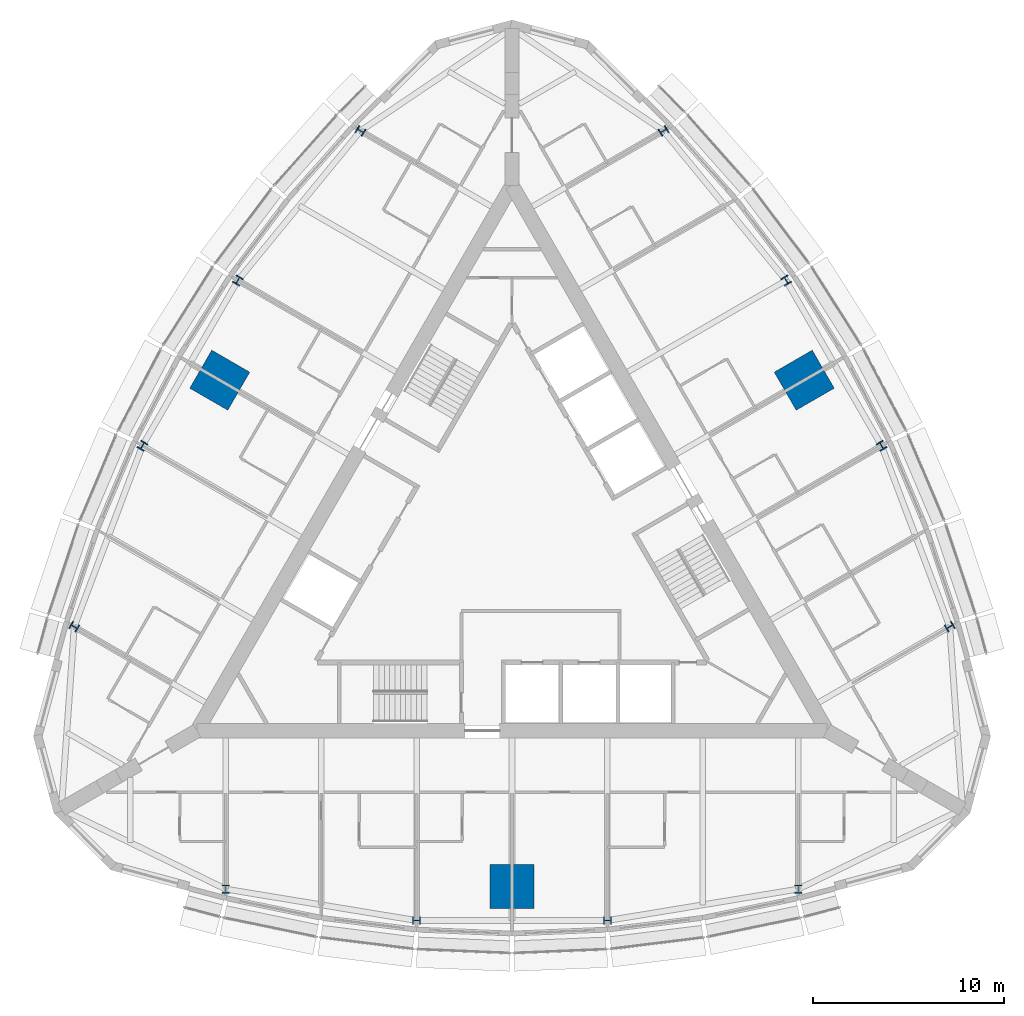
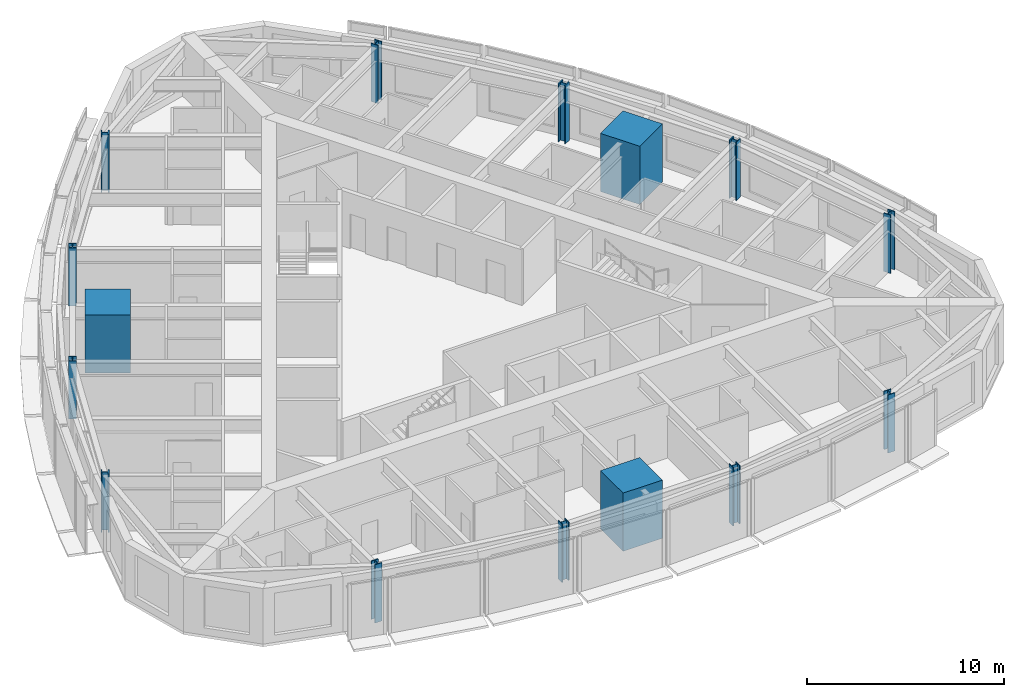
# One storey, part 1 of 15: 15 columns.
"""IFC4 building model written with IfcOpenShell, lengths in metres."""

from ifc_helpers import new_model, si_unit, direction, frame, origin, origin_2d, place, context, subcontext, project, spatial, rectangle, i_section, extrude, material, material_profile, profile_set, type_object, element, save


model = new_model("IFC4")

# Units and contexts
model_context = context("Model", 3, precision=1e-05, world=origin(), true_north=direction((0.0, 1.0)))
body_context = subcontext(model_context, "Body", "Model", "MODEL_VIEW")
ifc_project = project(units=[si_unit("LENGTHUNIT", "METRE"), si_unit("AREAUNIT", "SQUARE_METRE"), si_unit("VOLUMEUNIT", "CUBIC_METRE"), si_unit("PLANEANGLEUNIT", "RADIAN"), si_unit("MASSUNIT", "GRAM", prefix="KILO")], contexts=[model_context])

# Site, building, storey
site_placement = place(None, origin())
site = spatial("IfcSite", under=ifc_project, at=site_placement, CompositionType="ELEMENT")
building_placement = place(site_placement, origin())
building = spatial("IfcBuilding", under=site, at=building_placement, Name="Trikona Tower", CompositionType="ELEMENT")
storey_placement = place(building_placement, frame((0.0, 0.0, 208.10009765625)))
storey = spatial("IfcBuildingStorey", under=building, at=storey_placement, Name="L55", CompositionType="ELEMENT", Elevation=208.10009765625)

# Columns
ifc_material_1 = material(Name="Concrete f'c 10000 psi with encased steel section", Category="concrete")
ifc_material_profile_1 = material_profile(ifc_material_1, rectangle(XDim=2.300048828125, YDim=2.300048828125, at=origin_2d()), Name="MC2300")
ifc_profile_set_1 = profile_set([ifc_material_profile_1], Name="Concrete f'c 10000 psi with encased steel section")
column_type_1 = type_object("IfcColumnType", Name="Composite mega column 2300x2300", PredefinedType="COLUMN", material=ifc_profile_set_1)
for number, where, z_axis, x_axis, name in (
    (1, (0.0, -17.680419921875, 0.0), (0.0, 0.0, 1.0), (0.0, -1.0, 0.0), "Mega column MC1"),
    (2, (15.311767578125, 8.84033203125, 0.0), (0.0, 0.0, 1.0), (0.866025403784, 0.5, 0.0), "Mega column MC2"),
    (3, (-15.311767578125, 8.84033203125, 0.0), (0.0, 0.0, 1.0), (-0.866025403784, 0.5, 0.0), "Mega column MC3"),
):
    element("IfcColumn", number, at=place(storey_placement, frame(where, z_axis=z_axis, x_axis=x_axis)), inside=storey, type_object=column_type_1, Name=name, PredefinedType="COLUMN", context=body_context, shape_type="SweptSolid", body=[
        extrude(rectangle(XDim=2.300048828125, YDim=2.300048828125, at=origin_2d()), origin(), (0.0, 0.0, 1.0), 3.599853515625),
    ])
ifc_material_2 = material(Name="Steel ASTM A992 Grade 50", Category="steel")
ifc_material_profile_2 = material_profile(ifc_material_2, i_section(OverallWidth=0.411376953125, OverallDepth=0.434326171875, WebThickness=0.035888671875, FlangeThickness=0.057373046875, at=origin_2d()), Name="W14X311")
ifc_profile_set_2 = profile_set([ifc_material_profile_2], Name="Steel ASTM A992 Grade 50")
column_type_2 = type_object("IfcColumnType", Name="Steel column W14x311", PredefinedType="COLUMN", material=ifc_profile_set_2)
for number, where, z_axis, x_axis, name in (
    (4, (-15.0, -17.824951171875, 0.0), (0.0, 0.0, 1.0), (1.0, 0.0, 0.0), "Column F0m15"),
    (5, (-5.0, -19.471923828125, 0.0), (0.0, 0.0, 1.0), (0.0, -1.0, 0.0), "Column F0m5"),
    (6, (5.0, -19.471923828125, 0.0), (0.0, 0.0, 1.0), (0.0, -1.0, 0.0), "Column F0p5"),
    (7, (15.0, -17.824951171875, 0.0), (0.0, 0.0, 1.0), (1.0, 0.0, 0.0), "Column F0p15"),
    (8, (22.936767578125, -4.077880859375, 0.0), (0.0, 0.0, 1.0), (-0.5, 0.866025403784, 0.0), "Column F1m15"),
    (9, (19.36328125, 5.406005859375, 0.0), (0.0, 0.0, 1.0), (0.866025403784, 0.5, 0.0), "Column F1m5"),
    (10, (14.36328125, 14.066162109375, 0.0), (0.0, 0.0, 1.0), (0.866025403784, 0.5, 0.0), "Column F1p5"),
    (11, (7.936767578125, 21.90283203125, 0.0), (0.0, 0.0, 1.0), (-0.5, 0.866025403784, 0.0), "Column F1p15"),
    (12, (-7.936767578125, 21.90283203125, 0.0), (0.0, 0.0, 1.0), (-0.5, -0.866025403784, 0.0), "Column F2m15"),
    (13, (-14.36328125, 14.066162109375, 0.0), (0.0, 0.0, 1.0), (-0.866025403784, 0.5, 0.0), "Column F2m5"),
    (14, (-19.36328125, 5.406005859375, 0.0), (0.0, 0.0, 1.0), (-0.866025403784, 0.5, 0.0), "Column F2p5"),
    (15, (-22.936767578125, -4.077880859375, 0.0), (0.0, 0.0, 1.0), (-0.5, -0.866025403784, 0.0), "Column F2p15"),
):
    element("IfcColumn", number, at=place(storey_placement, frame(where, z_axis=z_axis, x_axis=x_axis)), inside=storey, type_object=column_type_2, Name=name, PredefinedType="COLUMN", context=body_context, shape_type="SweptSolid", body=[
        extrude(i_section(OverallWidth=0.411376953125, OverallDepth=0.434326171875, WebThickness=0.035888671875, FlangeThickness=0.057373046875, at=origin_2d()), origin(), (0.0, 0.0, 1.0), 3.599853515625),
    ])

save(model, "model.ifc")
